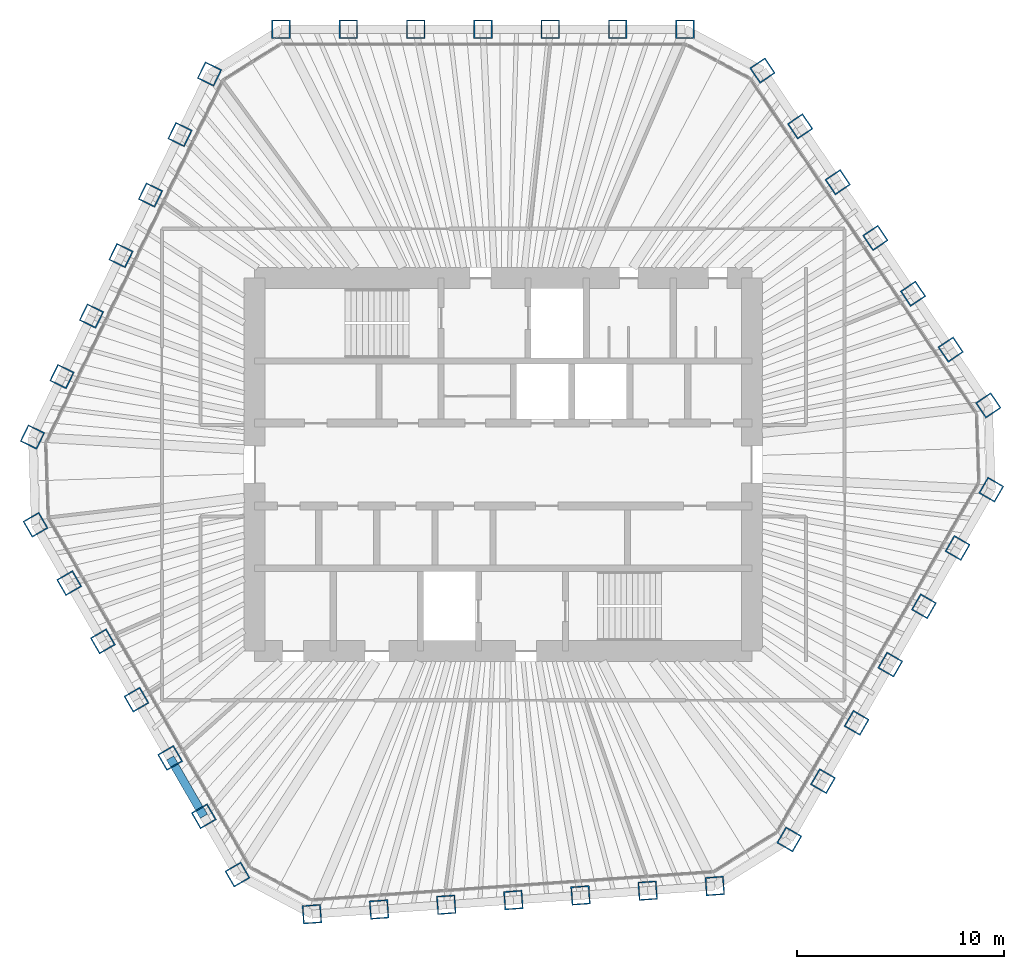
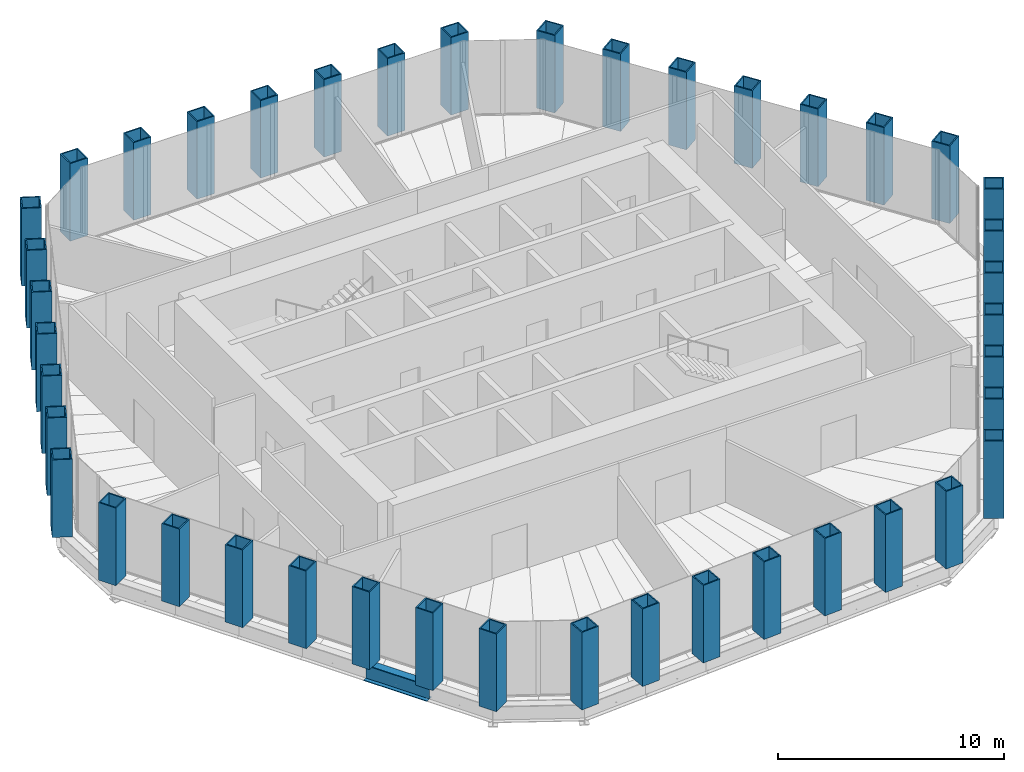
# One storey, part 1 of 14: 42 columns, 1 beam.
"""IFC4 building model written with IfcOpenShell, lengths in metres."""

from ifc_helpers import new_model, si_unit, direction, frame, origin, origin_2d, place, context, subcontext, project, spatial, hollow_rectangle, i_section, extrude, material, material_profile, profile_set, type_object, element, save


model = new_model("IFC4")

# Units and contexts
model_context = context("Model", 3, precision=1e-05, world=origin(), true_north=direction((0.0, 1.0)))
body_context = subcontext(model_context, "Body", "Model", "MODEL_VIEW")
ifc_project = project(units=[si_unit("LENGTHUNIT", "METRE"), si_unit("AREAUNIT", "SQUARE_METRE"), si_unit("VOLUMEUNIT", "CUBIC_METRE"), si_unit("PLANEANGLEUNIT", "RADIAN"), si_unit("MASSUNIT", "GRAM", prefix="KILO")], contexts=[model_context])

# Site, building, storey
site_placement = place(None, origin())
site = spatial("IfcSite", under=ifc_project, at=site_placement, CompositionType="ELEMENT")
building_placement = place(site_placement, origin())
building = spatial("IfcBuilding", under=site, at=building_placement, Name="Qingtian Harvest Tower", CompositionType="ELEMENT")
storey_placement = place(building_placement, frame((0.0, 0.0, 287.199951171875)))
storey = spatial("IfcBuildingStorey", under=building, at=storey_placement, Name="L63", CompositionType="ELEMENT", Elevation=287.199951171875)

# Columns
ifc_material_1 = material(Name="Steel SM570MC", Category="steel")
ifc_material_profile_1 = material_profile(ifc_material_1, hollow_rectangle(XDim=0.89990234375, YDim=0.89990234375, WallThickness=0.06005859375, at=origin_2d()), Name="BOX900x900x60")
ifc_profile_set_1 = profile_set([ifc_material_profile_1], Name="Steel SM570MC")
column_type = type_object("IfcColumnType", Name="Tube column TC7 BOX900x900x60", PredefinedType="COLUMN", material=ifc_profile_set_1)
for number, where, z_axis, x_axis, name in (
    (1, (-10.72216796875, 21.0, 0.0), (0.0, 0.0, 1.0), (-1.0, 0.0, 0.0), "Tube column TC7 N0"),
    (2, (-7.47412109375, 21.0, 0.0), (0.0, 0.0, 1.0), (-1.0, 0.0, 0.0), "Tube column TC7 N1"),
    (3, (-4.226318359375, 21.0, 0.0), (0.0, 0.0, 1.0), (-1.0, 0.0, 0.0), "Tube column TC7 N2"),
    (4, (-0.978271484375, 21.0, 0.0), (0.0, 0.0, 1.0), (-1.0, 0.0, 0.0), "Tube column TC7 N3"),
    (5, (2.269775390625, 21.0, 0.0), (0.0, 0.0, 1.0), (-1.0, 0.0, 0.0), "Tube column TC7 N4"),
    (6, (5.517822265625, 21.0, 0.0), (0.0, 0.0, 1.0), (-1.0, 0.0, 0.0), "Tube column TC7 N5"),
    (7, (8.765869140625, 21.0, 0.0), (0.0, 0.0, 1.0), (-1.0, 0.0, 0.0), "Tube column TC7 N6"),
    (8, (12.508056640625, 19.01025390625, 0.0), (0.0, 0.0, 1.0), (-0.559192903471, 0.829037572555, 0.0), "Tube column TC7 NE0"),
    (9, (14.32421875, 16.317626953125, 0.0), (0.0, 0.0, 1.0), (-0.559192903471, 0.829037572555, 0.0), "Tube column TC7 NE1"),
    (10, (16.140625, 13.624755859375, 0.0), (0.0, 0.0, 1.0), (-0.559192903471, 0.829037572555, 0.0), "Tube column TC7 NE2"),
    (11, (17.956787109375, 10.93212890625, 0.0), (0.0, 0.0, 1.0), (-0.559192903471, 0.829037572555, 0.0), "Tube column TC7 NE3"),
    (12, (19.77294921875, 8.2392578125, 0.0), (0.0, 0.0, 1.0), (-0.559192903471, 0.829037572555, 0.0), "Tube column TC7 NE4"),
    (13, (21.58935546875, 5.546630859375, 0.0), (0.0, 0.0, 1.0), (-0.559192903471, 0.829037572555, 0.0), "Tube column TC7 NE5"),
    (14, (23.405517578125, 2.85400390625, 0.0), (0.0, 0.0, 1.0), (-0.559192903471, 0.829037572555, 0.0), "Tube column TC7 NE6"),
    (15, (23.547607421875, -1.21435546875, 0.0), (0.0, 0.0, 1.0), (0.5, 0.866025403784, 0.0), "Tube column TC7 SE0"),
    (16, (21.923583984375, -4.027099609375, 0.0), (0.0, 0.0, 1.0), (0.5, 0.866025403784, 0.0), "Tube column TC7 SE1"),
    (17, (20.299560546875, -6.840087890625, 0.0), (0.0, 0.0, 1.0), (0.5, 0.866025403784, 0.0), "Tube column TC7 SE2"),
    (18, (18.675537109375, -9.65283203125, 0.0), (0.0, 0.0, 1.0), (0.5, 0.866025403784, 0.0), "Tube column TC7 SE3"),
    (19, (17.051513671875, -12.4658203125, 0.0), (0.0, 0.0, 1.0), (0.5, 0.866025403784, 0.0), "Tube column TC7 SE4"),
    (20, (15.427490234375, -15.278564453125, 0.0), (0.0, 0.0, 1.0), (0.5, 0.866025403784, 0.0), "Tube column TC7 SE5"),
    (21, (13.803466796875, -18.091552734375, 0.0), (0.0, 0.0, 1.0), (0.5, 0.866025403784, 0.0), "Tube column TC7 SE6"),
    (22, (10.20947265625, -20.33740234375, 0.0), (0.0, 0.0, 1.0), (0.99756405026, 0.069756473744, 0.0), "Tube column TC7 S0"),
    (23, (6.96923828125, -20.56396484375, 0.0), (0.0, 0.0, 1.0), (0.99756405026, 0.069756473744, 0.0), "Tube column TC7 S1"),
    (24, (3.729248046875, -20.79052734375, 0.0), (0.0, 0.0, 1.0), (0.99756405026, 0.069756473744, 0.0), "Tube column TC7 S2"),
    (25, (0.489013671875, -21.01708984375, 0.0), (0.0, 0.0, 1.0), (0.99756405026, 0.069756473744, 0.0), "Tube column TC7 S3"),
    (26, (-2.7509765625, -21.24365234375, 0.0), (0.0, 0.0, 1.0), (0.99756405026, 0.069756473744, 0.0), "Tube column TC7 S4"),
    (27, (-5.9912109375, -21.47021484375, 0.0), (0.0, 0.0, 1.0), (0.99756405026, 0.069756473744, 0.0), "Tube column TC7 S5"),
    (28, (-9.231201171875, -21.69677734375, 0.0), (0.0, 0.0, 1.0), (0.99756405026, 0.069756473744, 0.0), "Tube column TC7 S6"),
    (29, (-12.825439453125, -19.78564453125, 0.0), (0.0, 0.0, 1.0), (0.5, -0.866025403784, 0.0), "Tube column TC7 SW0"),
    (30, (-14.449462890625, -16.972900390625, 0.0), (0.0, 0.0, 1.0), (0.5, -0.866025403784, 0.0), "Tube column TC7 SW1"),
    (31, (-16.073486328125, -14.159912109375, 0.0), (0.0, 0.0, 1.0), (0.5, -0.866025403784, 0.0), "Tube column TC7 SW2"),
    (32, (-17.697509765625, -11.34716796875, 0.0), (0.0, 0.0, 1.0), (0.5, -0.866025403784, 0.0), "Tube column TC7 SW3"),
    (33, (-19.321533203125, -8.5341796875, 0.0), (0.0, 0.0, 1.0), (0.5, -0.866025403784, 0.0), "Tube column TC7 SW4"),
    (34, (-20.945556640625, -5.721435546875, 0.0), (0.0, 0.0, 1.0), (0.5, -0.866025403784, 0.0), "Tube column TC7 SW5"),
    (35, (-22.569580078125, -2.908447265625, 0.0), (0.0, 0.0, 1.0), (0.5, -0.866025403784, 0.0), "Tube column TC7 SW6"),
    (36, (-22.71728515625, 1.3271484375, 0.0), (0.0, 0.0, 1.0), (-0.438371146789, -0.898794046299, 0.0), "Tube column TC7 NW0"),
    (37, (-21.29345703125, 4.246337890625, 0.0), (0.0, 0.0, 1.0), (-0.438371146789, -0.898794046299, 0.0), "Tube column TC7 NW1"),
    (38, (-19.86962890625, 7.165771484375, 0.0), (0.0, 0.0, 1.0), (-0.438371146789, -0.898794046299, 0.0), "Tube column TC7 NW2"),
    (39, (-18.44580078125, 10.0849609375, 0.0), (0.0, 0.0, 1.0), (-0.438371146789, -0.898794046299, 0.0), "Tube column TC7 NW3"),
    (40, (-17.02197265625, 13.00439453125, 0.0), (0.0, 0.0, 1.0), (-0.438371146789, -0.898794046299, 0.0), "Tube column TC7 NW4"),
    (41, (-15.59814453125, 15.923583984375, 0.0), (0.0, 0.0, 1.0), (-0.438371146789, -0.898794046299, 0.0), "Tube column TC7 NW5"),
    (42, (-14.17431640625, 18.8427734375, 0.0), (0.0, 0.0, 1.0), (-0.438371146789, -0.898794046299, 0.0), "Tube column TC7 NW6"),
):
    element("IfcColumn", number, at=place(storey_placement, frame(where, z_axis=z_axis, x_axis=x_axis)), inside=storey, type_object=column_type, Name=name, PredefinedType="COLUMN", context=body_context, shape_type="SweptSolid", body=[
        extrude(hollow_rectangle(XDim=0.89990234375, YDim=0.89990234375, WallThickness=0.06005859375, at=origin_2d()), origin(), (0.0, 0.0, 1.0), 4.199951171875),
    ])

# Beam
ifc_material_2 = material(Name="Steel SN490B", Category="steel")
ifc_material_profile_2 = material_profile(ifc_material_2, i_section(OverallWidth=0.39990234375, OverallDepth=0.89990234375, WebThickness=0.01904296875, FlangeThickness=0.035888671875, at=origin_2d()), Name="H900x400x19x36")
ifc_profile_set_2 = profile_set([ifc_material_profile_2], Name="Steel SN490B")
beam_type = type_object("IfcBeamType", Name="Spandrel beam SB4 H900x400x19x36", PredefinedType="SPANDREL", material=ifc_profile_set_2)
beam_placement = place(storey_placement, frame((-14.449462890625, -16.972900390625, -0.449951171875), z_axis=(-0.499987045439, 0.866032882975, 0.0), x_axis=(-0.866032882975, -0.499987045439, 0.0)))
element("IfcBeam", 43, at=beam_placement, inside=storey, type_object=beam_type, Name="Spandrel SB4 SW1", PredefinedType="SPANDREL", context=body_context, shape_type="SweptSolid", body=[
    extrude(i_section(OverallWidth=0.39990234375, OverallDepth=0.89990234375, WebThickness=0.01904296875, FlangeThickness=0.035888671875, at=origin_2d()), origin(), (0.0, 0.0, 1.0), 3.248046875),
])

save(model, "model.ifc")
